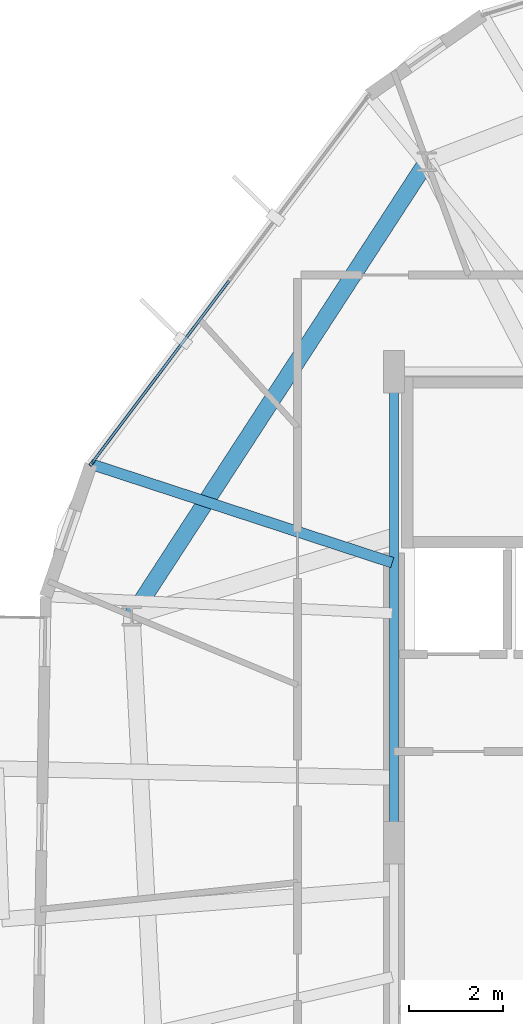
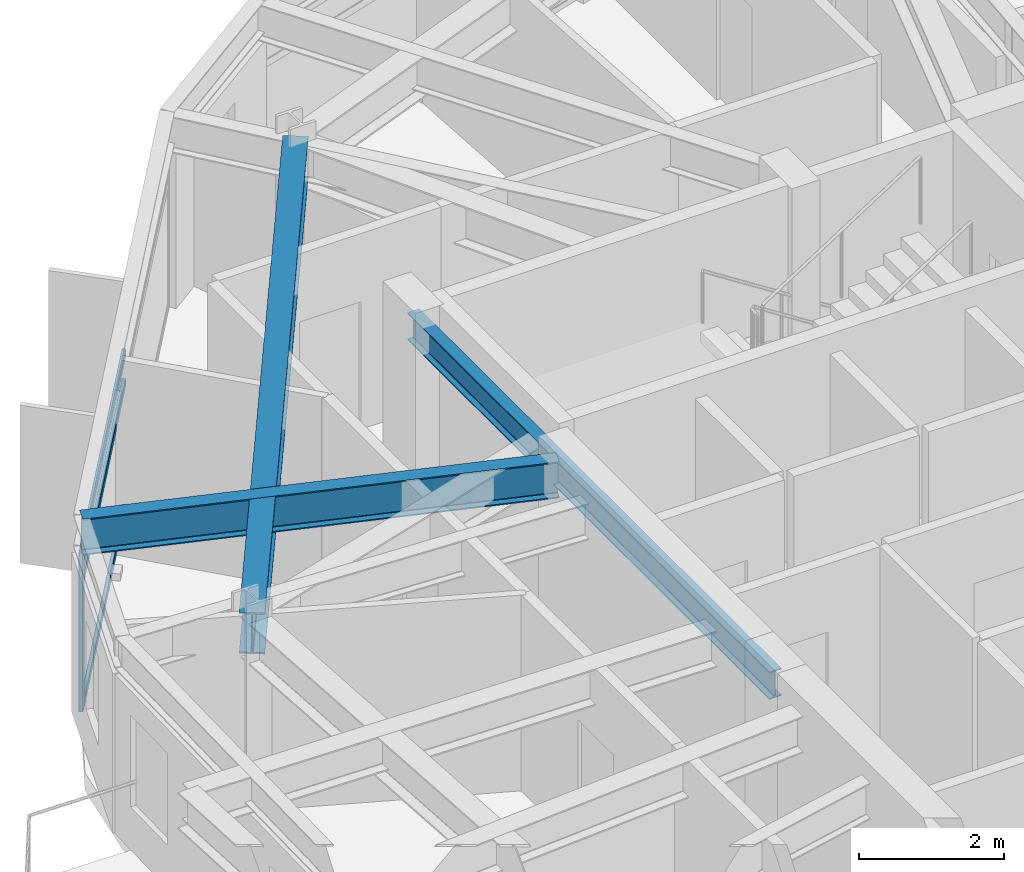
# One storey, part 6 of 29: 4 members, 3 beams, 1 element without a shape of its own.
"""IFC4 building model written with IfcOpenShell, lengths in metres."""

from ifc_helpers import new_model, si_unit, direction, frame, origin, origin_2d, place, context, subcontext, project, spatial, hollow_rectangle, i_section, extrude, material, layer, layer_set, material_profile, profile_set, type_object, element, aggregate, save


model = new_model("IFC4")

# Units and contexts
model_context = context("Model", 3, precision=1e-05, world=origin(), true_north=direction((0.0, 1.0)))
body_context = subcontext(model_context, "Body", "Model", "MODEL_VIEW")
ifc_project = project(units=[si_unit("LENGTHUNIT", "METRE"), si_unit("AREAUNIT", "SQUARE_METRE"), si_unit("VOLUMEUNIT", "CUBIC_METRE"), si_unit("PLANEANGLEUNIT", "RADIAN"), si_unit("MASSUNIT", "GRAM", prefix="KILO")], contexts=[model_context])

# Site, building, storey
site_placement = place(None, origin())
site = spatial("IfcSite", under=ifc_project, at=site_placement, CompositionType="ELEMENT")
building_placement = place(site_placement, origin())
building = spatial("IfcBuilding", under=site, at=building_placement, Name="Soratama Intermodal Tower", CompositionType="ELEMENT")
storey_placement = place(building_placement, frame((0.0, 0.0, 226.60009765625)))
storey = spatial("IfcBuildingStorey", under=building, at=storey_placement, Name="L57", CompositionType="ELEMENT", Elevation=226.60009765625)

# Beams
ifc_material_1 = material(Name="Structural steel ASTM A992 Grade 50", Category="steel")
ifc_material_profile_1 = material_profile(ifc_material_1, i_section(OverallWidth=0.19091796875, OverallDepth=0.4599609375, WebThickness=0.010009765625, FlangeThickness=0.01611328125, FilletRadius=0.010986328125, at=origin_2d()), Name="W18X55")
ifc_profile_set_1 = profile_set([ifc_material_profile_1], Name="Structural steel ASTM A992 Grade 50")
beam_type_1 = type_object("IfcBeamType", Name="BM-FLR-W18X55", PredefinedType="BEAM", material=ifc_profile_set_1)
beam_1_placement = place(storey_placement, frame((32.60009765625, 35.0, 3.06982421875), z_axis=(0.0, -1.0, 0.0), x_axis=(1.0, 0.0, 0.0)))
element("IfcBeam", 1, at=beam_1_placement, inside=storey, type_object=beam_type_1, Name="BM-L57-CRING-08", PredefinedType="BEAM", context=body_context, shape_type="SweptSolid", body=[
    extrude(i_section(OverallWidth=0.19091796875, OverallDepth=0.4599609375, WebThickness=0.010009765625, FlangeThickness=0.01611328125, FilletRadius=0.010986328125, at=origin_2d()), origin(), (0.0, 0.0, 1.0), 10.0),
])
ifc_material_2 = material(Name="Structural steel ASTM A992 Grade 50", Category="steel")
ifc_material_profile_2 = material_profile(ifc_material_2, i_section(OverallWidth=0.35498046875, OverallDepth=0.695068359375, WebThickness=0.015380859375, FlangeThickness=0.02490234375, FilletRadius=0.01611328125, at=origin_2d()), Name="W27X146")
ifc_profile_set_2 = profile_set([ifc_material_profile_2], Name="Structural steel ASTM A992 Grade 50")
beam_type_2 = type_object("IfcBeamType", Name="BM-RING-W27X146", PredefinedType="BEAM", material=ifc_profile_set_2)
beam_2_placement = place(storey_placement, frame((33.294921875, 39.455078125, 2.952392578125), z_axis=(-0.544637453764, -0.83867159482, 0.0), x_axis=(0.83867159482, -0.544637453764, 0.0)))
element("IfcBeam", 2, at=beam_2_placement, inside=storey, type_object=beam_type_2, Name="BM-L57-RING-04", PredefinedType="BEAM", context=body_context, shape_type="SweptSolid", body=[
    extrude(i_section(OverallWidth=0.35498046875, OverallDepth=0.695068359375, WebThickness=0.015380859375, FlangeThickness=0.02490234375, FilletRadius=0.01611328125, at=origin_2d()), origin(), (0.0, 0.0, 1.0), 11.49560546875),
])
ifc_material_3 = material(Name="Structural steel ASTM A992 Grade 50", Category="steel")
ifc_material_profile_3 = material_profile(ifc_material_3, i_section(OverallWidth=0.22900390625, OverallDepth=0.612060546875, WebThickness=0.011962890625, FlangeThickness=0.01953125, FilletRadius=0.012939453125, at=origin_2d()), Name="W24X84")
ifc_profile_set_3 = profile_set([ifc_material_profile_3], Name="Structural steel ASTM A992 Grade 50")
beam_type_3 = type_object("IfcBeamType", Name="BM-TIE-W24X84", PredefinedType="BEAM", material=ifc_profile_set_3)
beam_3_placement = place(storey_placement, frame((32.56201171875, 30.946044921875, 2.993896484375), z_axis=(-0.950404740379, 0.311015802596, 0.0), x_axis=(-0.311015802596, -0.950404740379, 0.0)))
element("IfcBeam", 3, at=beam_3_placement, inside=storey, type_object=beam_type_3, Name="BM-L57-TIE1-03", PredefinedType="BEAM", context=body_context, shape_type="SweptSolid", body=[
    extrude(i_section(OverallWidth=0.22900390625, OverallDepth=0.612060546875, WebThickness=0.011962890625, FlangeThickness=0.01953125, FilletRadius=0.012939453125, at=origin_2d()), origin(), (0.0, 0.0, 1.0), 6.723388671875),
])

# Curtain wall, members
ifc_material_4 = material(Name="Double-glazed aluminium curtain wall", Category="aluminium")
ifc_layer = layer(ifc_material_4, 0.159912109375)
ifc_layer_set = layer_set([ifc_layer], Name="Double-glazed aluminium curtain wall")
curtain_wall_type = type_object("IfcCurtainWallType", Name="CW-SYS-5", PredefinedType="NOTDEFINED", material=ifc_layer_set)
curtain_wall_placement = place(storey_placement, origin())
curtain_wall = element("IfcCurtainWall", 4, at=curtain_wall_placement, inside=storey, type_object=curtain_wall_type, Name="L57 Faceted Curtain Wall F03", PredefinedType="NOTDEFINED")
ifc_material_5 = material(Name="Anodised aluminium AA 6063-T6", Category="aluminium")
ifc_material_profile_4 = material_profile(ifc_material_5, hollow_rectangle(XDim=0.06494140625, YDim=0.139892578125, WallThickness=0.0048828125, InnerFilletRadius=0.0048828125, OuterFilletRadius=0.010009765625, at=origin_2d()), Name="CWM140X65X5")
ifc_profile_set_4 = profile_set([ifc_material_profile_4], Name="Anodised aluminium AA 6063-T6")
member_type_1 = type_object("IfcMemberType", Name="MT-CWM-5", PredefinedType="MULLION", material=ifc_profile_set_4)
member_1_placement = place(storey_placement, frame((26.189697265625, 33.060791015625, 0.0), z_axis=(0.0, 0.0, 1.0), x_axis=(0.799052254373, -0.601261585985, 0.0)))
member_1 = element("IfcMember", 5, at=member_1_placement, type_object=member_type_1, Name="CW-5 mullion 3", PredefinedType="MULLION", context=body_context, shape_type="SweptSolid", body=[
    extrude(hollow_rectangle(XDim=0.06494140625, YDim=0.139892578125, WallThickness=0.0048828125, InnerFilletRadius=0.0048828125, OuterFilletRadius=0.010009765625, at=origin_2d()), origin(), (0.0, 0.0, 1.0), 2.678955078125),
])
ifc_material_6 = material(Name="Anodised aluminium AA 6063-T6", Category="aluminium")
ifc_material_profile_5 = material_profile(ifc_material_6, hollow_rectangle(XDim=0.06005859375, YDim=0.1298828125, WallThickness=0.0048828125, InnerFilletRadius=0.0048828125, OuterFilletRadius=0.010009765625, at=origin_2d()), Name="CWT130X60X5")
ifc_profile_set_5 = profile_set([ifc_material_profile_5], Name="Anodised aluminium AA 6063-T6")
member_type_2 = type_object("IfcMemberType", Name="TT-CWT-2", PredefinedType="USERDEFINED", material=ifc_profile_set_5)
member_2_placement = place(storey_placement, frame((29.09912109375, 36.92724609375, 0.02978515625), z_axis=(-0.601258330333, -0.799054704138, 0.0), x_axis=(0.799054704138, -0.601258330333, 0.0)))
member_2 = element("IfcMember", 6, at=member_2_placement, type_object=member_type_2, Name="CW-5 transom 2.1", ObjectType="TRANSOM", PredefinedType="USERDEFINED", context=body_context, shape_type="SweptSolid", body=[
    extrude(hollow_rectangle(XDim=0.06005859375, YDim=0.1298828125, WallThickness=0.0048828125, InnerFilletRadius=0.0048828125, OuterFilletRadius=0.010009765625, at=origin_2d()), origin(), (0.0, 0.0, 1.0), 4.808837890625),
])
member_3_placement = place(storey_placement, frame((29.09912109375, 36.92724609375, 2.14990234375), z_axis=(-0.601258330333, -0.799054704138, 0.0), x_axis=(0.799054704138, -0.601258330333, 0.0)))
member_3 = element("IfcMember", 7, at=member_3_placement, type_object=member_type_2, Name="CW-5 transom 2.2", ObjectType="TRANSOM", PredefinedType="USERDEFINED", context=body_context, shape_type="SweptSolid", body=[
    extrude(hollow_rectangle(XDim=0.06005859375, YDim=0.1298828125, WallThickness=0.0048828125, InnerFilletRadius=0.0048828125, OuterFilletRadius=0.010009765625, at=origin_2d()), origin(), (0.0, 0.0, 1.0), 4.808837890625),
])
member_4_placement = place(storey_placement, frame((29.09912109375, 36.92724609375, 2.64892578125), z_axis=(-0.601258330333, -0.799054704138, 0.0), x_axis=(0.799054704138, -0.601258330333, 0.0)))
member_4 = element("IfcMember", 8, at=member_4_placement, type_object=member_type_2, Name="CW-5 transom 2.3", ObjectType="TRANSOM", PredefinedType="USERDEFINED", context=body_context, shape_type="SweptSolid", body=[
    extrude(hollow_rectangle(XDim=0.06005859375, YDim=0.1298828125, WallThickness=0.0048828125, InnerFilletRadius=0.0048828125, OuterFilletRadius=0.010009765625, at=origin_2d()), origin(), (0.0, 0.0, 1.0), 4.808837890625),
])
aggregate(curtain_wall, [member_1, member_2, member_3, member_4])

save(model, "model.ifc")
